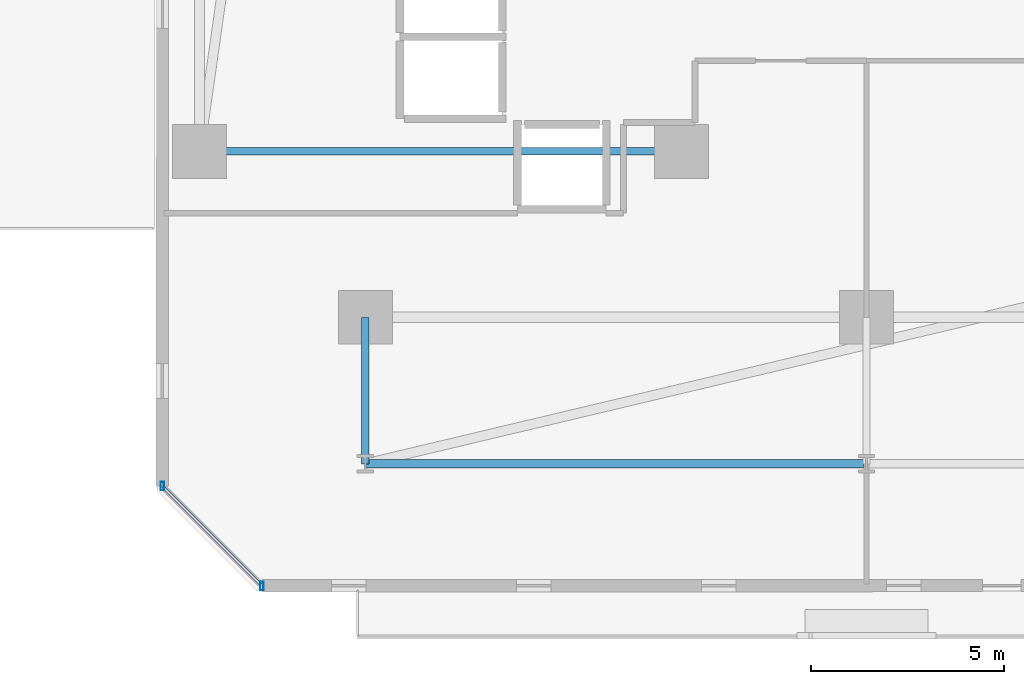
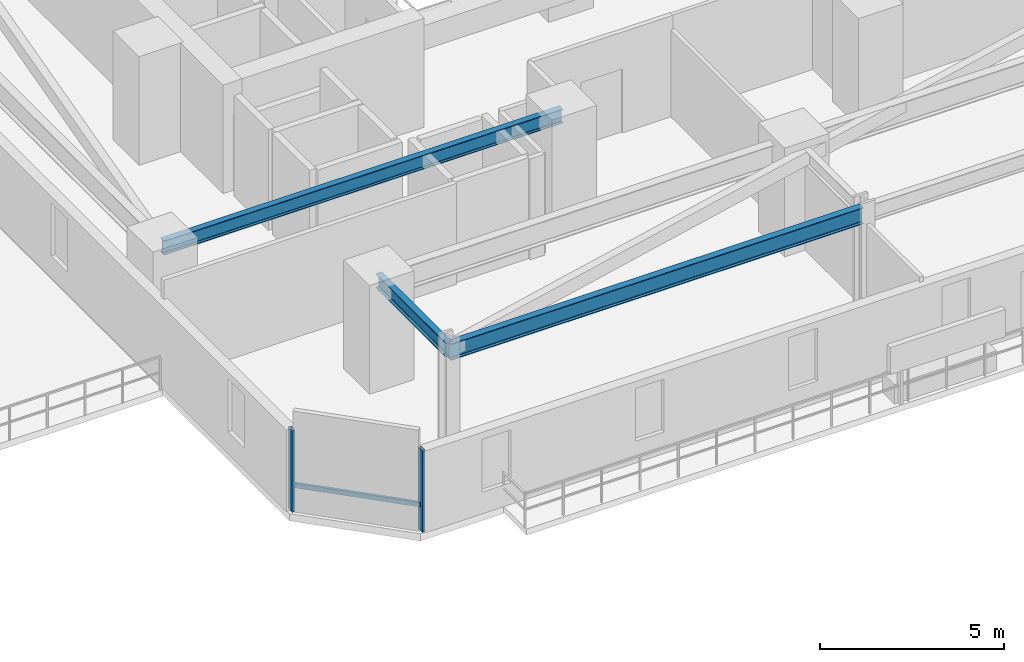
# One storey, part 10 of 34: 3 beams, 3 members, 1 element without a shape of its own.
"""IFC4 building model written with IfcOpenShell, lengths in metres."""

from ifc_helpers import new_model, si_unit, direction, frame, origin, origin_2d, place, context, subcontext, project, spatial, hollow_rectangle, i_section, extrude, material, material_profile, profile_set, type_object, element, aggregate, save


model = new_model("IFC4")

# Units and contexts
model_context = context("Model", 3, precision=1e-05, world=origin(), true_north=direction((0.0, 1.0)))
body_context = subcontext(model_context, "Body", "Model", "MODEL_VIEW")
ifc_project = project(units=[si_unit("LENGTHUNIT", "METRE"), si_unit("AREAUNIT", "SQUARE_METRE"), si_unit("VOLUMEUNIT", "CUBIC_METRE"), si_unit("PLANEANGLEUNIT", "RADIAN"), si_unit("MASSUNIT", "GRAM", prefix="KILO")], contexts=[model_context])

# Site, building, storey
site_placement = place(None, origin())
site = spatial("IfcSite", under=ifc_project, at=site_placement, CompositionType="ELEMENT")
building_placement = place(site_placement, origin())
building = spatial("IfcBuilding", under=site, at=building_placement, Name="Thornwick Lancets Civic Towers", CompositionType="ELEMENT")
storey_placement = place(building_placement, frame((0.0, 0.0, 27.89990234375)))
storey = spatial("IfcBuildingStorey", under=building, at=storey_placement, Name="L06", CompositionType="ELEMENT", Elevation=27.89990234375)

# Beams
ifc_material_1 = material(Name="Steel S355JR", Category="steel")
ifc_material_profile_1 = material_profile(ifc_material_1, i_section(OverallWidth=0.2119140625, OverallDepth=0.54443359375, WebThickness=0.0126953125, FlangeThickness=0.021240234375, FilletRadius=0.0126953125, at=origin_2d()), Name="UKB 533x210x122")
ifc_profile_set_1 = profile_set([ifc_material_profile_1], Name="Steel S355JR")
beam_type_1 = type_object("IfcBeamType", Name="BM_EDGE_533_122", PredefinedType="SPANDREL", material=ifc_profile_set_1)
beam_1_placement = place(storey_placement, frame((88.419921875, 5.89990234375, 3.087890625), z_axis=(-1.0, 0.0, 0.0), x_axis=(0.0, -1.0, 0.0)))
element("IfcBeam", 1, at=beam_1_placement, inside=storey, type_object=beam_type_1, Name="BM-EDGE-L06-B-S3-2", PredefinedType="SPANDREL", context=body_context, shape_type="SweptSolid", body=[
    extrude(i_section(OverallWidth=0.2119140625, OverallDepth=0.54443359375, WebThickness=0.0126953125, FlangeThickness=0.021240234375, FilletRadius=0.0126953125, at=origin_2d()), origin(), (0.0, 0.0, 1.0), 12.919921875),
])
ifc_material_profile_2 = material_profile(ifc_material_1, i_section(OverallWidth=0.19287109375, OverallDepth=0.46728515625, WebThickness=0.011474609375, FlangeThickness=0.01953125, FilletRadius=0.01025390625, at=origin_2d()), Name="UKB 457x191x98")
ifc_profile_set_2 = profile_set([ifc_material_profile_2], Name="Steel S355JR")
beam_type_2 = type_object("IfcBeamType", Name="BM_JOIST_457_98", PredefinedType="JOIST", material=ifc_profile_set_2)
beam_2_placement = place(storey_placement, frame((83.699951171875, 14.0, 3.12646484375), z_axis=(-1.0, 0.0, 0.0), x_axis=(0.0, -1.0, 0.0)))
element("IfcBeam", 2, at=beam_2_placement, inside=storey, type_object=beam_type_2, Name="BM-RADIN-L06-B07", PredefinedType="JOIST", context=body_context, shape_type="SweptSolid", body=[
    extrude(i_section(OverallWidth=0.19287109375, OverallDepth=0.46728515625, WebThickness=0.011474609375, FlangeThickness=0.01953125, FilletRadius=0.01025390625, at=origin_2d()), origin(), (0.0, 0.0, 1.0), 12.5),
])
beam_3_placement = place(storey_placement, frame((75.5, 9.699951171875, 3.12646484375), z_axis=(0.0, -1.0, 0.0), x_axis=(1.0, 0.0, 0.0)))
element("IfcBeam", 3, at=beam_3_placement, inside=storey, type_object=beam_type_2, Name="BM-RAD-L06-B12", PredefinedType="JOIST", context=body_context, shape_type="SweptSolid", body=[
    extrude(i_section(OverallWidth=0.19287109375, OverallDepth=0.46728515625, WebThickness=0.011474609375, FlangeThickness=0.01953125, FilletRadius=0.01025390625, at=origin_2d()), origin(), (0.0, 0.0, 1.0), 3.800048828125),
])

# Curtain wall, members
ifc_material_2 = material(Name="Low-zone chamfered-corner unitised glass curtain wall", Category="glass")
curtain_wall_type = type_object("IfcCurtainWallType", Name="CW_SYS_03", PredefinedType="NOTDEFINED", material=ifc_material_2)
curtain_wall_placement = place(storey_placement, origin())
curtain_wall = element("IfcCurtainWall", 4, at=curtain_wall_placement, inside=storey, type_object=curtain_wall_type, Name="L06 Curtain Wall CW-L06-B-E7", PredefinedType="NOTDEFINED")
ifc_material_3 = material(Name="Thermally broken bronze aluminium S355", Category="steel")
ifc_material_profile_3 = material_profile(ifc_material_3, hollow_rectangle(XDim=0.090087890625, YDim=0.219970703125, WallThickness=0.00634765625, at=origin_2d()), Name="RHS 220x90x6.3")
ifc_profile_set_3 = profile_set([ifc_material_profile_3], Name="Thermally broken bronze aluminium S355")
member_type_1 = type_object("IfcMemberType", Name="CW_MUL_220", PredefinedType="MULLION", material=ifc_profile_set_3)
member_1_placement = place(storey_placement, frame((70.235107421875, 5.31884765625, 0.0), z_axis=(0.0, 0.0, 1.0), x_axis=(1.0, 0.0, 0.0)))
member_1 = element("IfcMember", 5, at=member_1_placement, type_object=member_type_1, Name="CW-L06-B-E7 Mullion 0", PredefinedType="MULLION", context=body_context, shape_type="SweptSolid", body=[
    extrude(hollow_rectangle(XDim=0.090087890625, YDim=0.219970703125, WallThickness=0.00634765625, at=origin_2d()), origin(), (0.0, 0.0, 1.0), 2.7001953125),
])
member_2_placement = place(storey_placement, frame((72.81884765625, 2.735107421875, 0.0), z_axis=(0.0, 0.0, 1.0), x_axis=(1.0, 0.0, 0.0)))
member_2 = element("IfcMember", 6, at=member_2_placement, type_object=member_type_1, Name="CW-L06-B-E7 Mullion 1", PredefinedType="MULLION", context=body_context, shape_type="SweptSolid", body=[
    extrude(hollow_rectangle(XDim=0.090087890625, YDim=0.219970703125, WallThickness=0.00634765625, at=origin_2d()), origin(), (0.0, 0.0, 1.0), 2.7001953125),
])
ifc_material_profile_4 = material_profile(ifc_material_3, hollow_rectangle(XDim=0.074951171875, YDim=0.14990234375, WallThickness=0.0048828125, at=origin_2d()), Name="RHS 150x75x5")
ifc_profile_set_4 = profile_set([ifc_material_profile_4], Name="Thermally broken bronze aluminium S355")
member_type_2 = type_object("IfcMemberType", Name="CW_TRN_150", PredefinedType="USERDEFINED", material=ifc_profile_set_4)
member_3_placement = place(storey_placement, frame((70.249267578125, 5.3046875, 0.85009765625), z_axis=(0.707106781187, -0.707106781187, 0.0), x_axis=(0.707106781187, 0.707106781187, 0.0)))
member_3 = element("IfcMember", 7, at=member_3_placement, type_object=member_type_2, Name="CW-L06-B-E7 Transom 0", ObjectType="TRANSOM", PredefinedType="USERDEFINED", context=body_context, shape_type="SweptSolid", body=[
    extrude(hollow_rectangle(XDim=0.074951171875, YDim=0.14990234375, WallThickness=0.0048828125, at=origin_2d()), origin(), (0.0, 0.0, 1.0), 3.614013671875),
])
aggregate(curtain_wall, [member_1, member_2, member_3])

save(model, "model.ifc")
